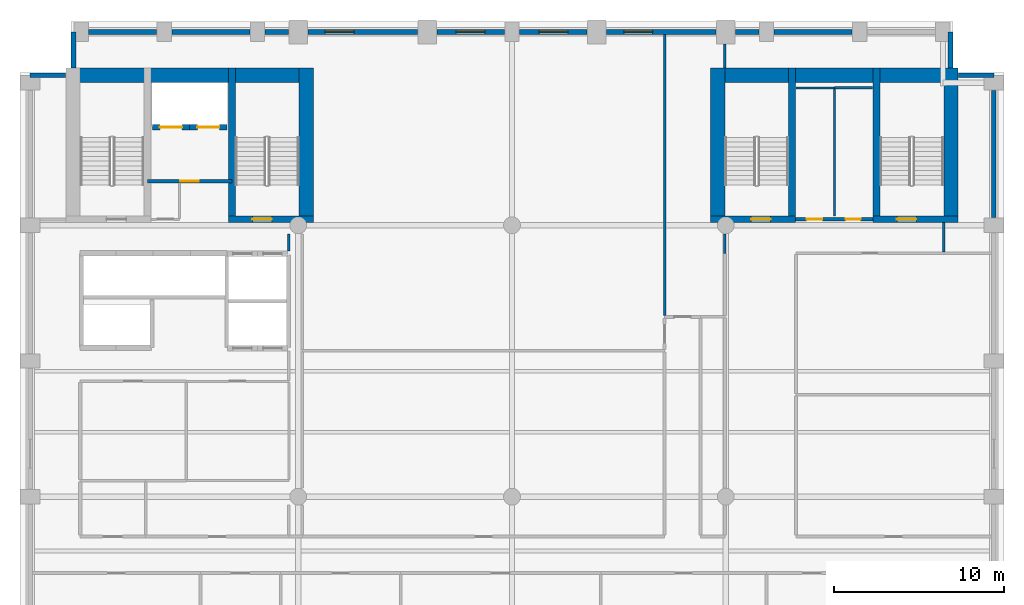
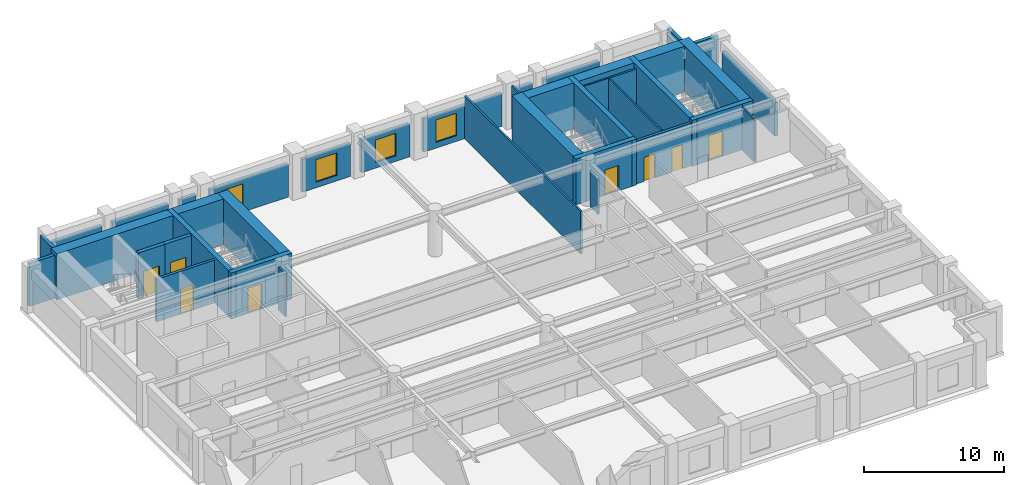
# One storey, part 5 of 8: 37 walls, 8 doors, 4 windows, 12 openings.
"""IFC4 building model written with IfcOpenShell, lengths in metres."""

from ifc_helpers import new_model, si_unit, direction, frame, frame_2d, origin, place, context, subcontext, project, spatial, rectangle, extrude, material, layer, layer_set, type_object, element, fill, save


model = new_model("IFC4")

# Units and contexts
model_context = context("Model", 3, precision=1e-05, world=origin(), true_north=direction((0.0, 1.0)))
body_context = subcontext(model_context, "Body", "Model", "MODEL_VIEW")
ifc_project = project(units=[si_unit("LENGTHUNIT", "METRE"), si_unit("AREAUNIT", "SQUARE_METRE"), si_unit("VOLUMEUNIT", "CUBIC_METRE"), si_unit("PLANEANGLEUNIT", "RADIAN"), si_unit("MASSUNIT", "GRAM", prefix="KILO")], contexts=[model_context])

# Site, building, storey
site_placement = place(None, origin())
site = spatial("IfcSite", under=ifc_project, at=site_placement, CompositionType="ELEMENT")
building_placement = place(site_placement, origin())
building = spatial("IfcBuilding", under=site, at=building_placement, Name="Sulina Concourse Tower", CompositionType="ELEMENT")
storey_placement = place(building_placement, frame((0.0, 0.0, 128.60009765625)))
storey = spatial("IfcBuildingStorey", under=building, at=storey_placement, Name="L31", CompositionType="ELEMENT", Elevation=128.60009765625)

# Wall, opening, door
ifc_material_1 = material(Name="Concrete C50/60", Category="concrete")
ifc_layer_1 = layer(ifc_material_1, 0.300048828125)
ifc_layer_set_1 = layer_set([ifc_layer_1], Name="Concrete C50/60")
wall_type_1 = type_object("IfcWallType", Name="Core Lift Hoistway Wall 300mm", PredefinedType="SOLIDWALL", material=ifc_layer_set_1)
wall_1_placement = place(storey_placement, frame((10.0, 39.780029296875, 0.0), z_axis=(0.0, 0.0, 1.0), x_axis=(-1.0, 0.0, 0.0)))
wall_1 = element("IfcWall", 1, at=wall_1_placement, inside=storey, type_object=wall_type_1, Name="L31 hoistway enclosure wall FFL-1", PredefinedType="SOLIDWALL", context=body_context, shape_type="SweptSolid", body=[
    extrude(rectangle(XDim=2.199951171875, YDim=0.300048828125, at=frame_2d((1.10009765625, 0.0))), origin(), (0.0, 0.0, 1.0), 4.0),
])
opening_1_placement = place(wall_1_placement, frame((0.449951171875, 0.0, 0.0)))
opening_1 = element("IfcOpeningElement", 2, at=opening_1_placement, cuts=wall_1, Name="Opening LD-02", PredefinedType="OPENING", context=body_context, shape_type="SweptSolid", body=[
    extrude(rectangle(XDim=1.300048828125, YDim=2.25, at=frame_2d((0.64990234375, 1.125))), frame((0.0, 0.159912109375, 0.0), z_axis=(0.0, -1.0, 0.0), x_axis=(1.0, 0.0, 0.0)), (0.0, 0.0, 1.0), 0.320068359375),
])
ifc_material_2 = material(Name="Stainless steel lift landing door", Category="steel")
ifc_layer_2 = layer(ifc_material_2, 0.050048828125)
ifc_layer_set_2 = layer_set([ifc_layer_2], Name="Stainless steel lift landing door")
door_type_1 = type_object("IfcDoorType", Name="Firefighting Lift Sliding Landing Door 1300x2250", OperationType="SLIDING_TO_RIGHT", PredefinedType="DOOR", material=ifc_layer_set_2)
door_1_placement = place(opening_1_placement, origin())
door_1 = element("IfcDoor", 3, at=door_1_placement, inside=storey, type_object=door_type_1, Name="L31 lift landing sliding door FFL-1", OperationType="SLIDING_TO_LEFT", OverallHeight=2.25, OverallWidth=1.300048828125, PredefinedType="DOOR", context=body_context, shape_type="SweptSolid", body=[
    extrude(rectangle(XDim=1.300048828125, YDim=2.25, at=frame_2d((0.64990234375, 1.125))), frame((0.0, 0.02490234375, 0.0), z_axis=(0.0, -1.0, 0.0), x_axis=(1.0, 0.0, 0.0)), (0.0, 0.0, 1.0), 0.050048828125),
])
fill(opening_1, door_1)

wall_2_placement = place(storey_placement, frame((12.199951171875, 39.780029296875, 0.0), z_axis=(0.0, 0.0, 1.0), x_axis=(-1.0, 0.0, 0.0)))
wall_2 = element("IfcWall", 4, at=wall_2_placement, inside=storey, type_object=wall_type_1, Name="L31 hoistway enclosure wall FFL-2", PredefinedType="SOLIDWALL", context=body_context, shape_type="SweptSolid", body=[
    extrude(rectangle(XDim=2.199951171875, YDim=0.300048828125, at=frame_2d((1.10009765625, 0.0))), origin(), (0.0, 0.0, 1.0), 4.0),
])
opening_2_placement = place(wall_2_placement, frame((0.449951171875, 0.0, 0.0)))
opening_2 = element("IfcOpeningElement", 5, at=opening_2_placement, cuts=wall_2, Name="Opening LD-02", PredefinedType="OPENING", context=body_context, shape_type="SweptSolid", body=[
    extrude(rectangle(XDim=1.300048828125, YDim=2.25, at=frame_2d((0.64990234375, 1.125))), frame((0.0, 0.159912109375, 0.0), z_axis=(0.0, -1.0, 0.0), x_axis=(1.0, 0.0, 0.0)), (0.0, 0.0, 1.0), 0.320068359375),
])
door_2_placement = place(opening_2_placement, origin())
door_2 = element("IfcDoor", 6, at=door_2_placement, inside=storey, type_object=door_type_1, Name="L31 lift landing sliding door FFL-2", OperationType="SLIDING_TO_RIGHT", OverallHeight=2.25, OverallWidth=1.300048828125, PredefinedType="DOOR", context=body_context, shape_type="SweptSolid", body=[
    extrude(rectangle(XDim=1.300048828125, YDim=2.25, at=frame_2d((0.64990234375, 1.125))), frame((0.0, 0.02490234375, 0.0), z_axis=(0.0, -1.0, 0.0), x_axis=(1.0, 0.0, 0.0)), (0.0, 0.0, 1.0), 0.050048828125),
])
fill(opening_2, door_2)

ifc_material_3 = material(Name="Gypsum board on steel stud", Category="steel")
ifc_layer_3 = layer(ifc_material_3, 0.219970703125)
ifc_layer_set_3 = layer_set([ifc_layer_3], Name="Gypsum board on steel stud")
wall_type_2 = type_object("IfcWallType", Name="Fire-Rated Lobby & Compartment Wall 220mm", PredefinedType="PARTITIONING", material=ifc_layer_set_3)
wall_3_placement = place(storey_placement, frame((7.510009765625, 36.60009765625, 0.0), z_axis=(0.0, 0.0, 1.0), x_axis=(1.0, 0.0, 0.0)))
wall_3 = element("IfcWall", 7, at=wall_3_placement, inside=storey, type_object=wall_type_2, Name="L31 firefighting lobby south fire wall", PredefinedType="PARTITIONING", context=body_context, shape_type="SweptSolid", body=[
    extrude(rectangle(XDim=4.97998046875, YDim=0.219970703125, at=frame_2d((2.489990234375, 0.0))), origin(), (0.0, 0.0, 1.0), 3.724853515625),
])
opening_3_placement = place(wall_3_placement, frame((1.93994140625, 0.0, 0.0)))
opening_3 = element("IfcOpeningElement", 8, at=opening_3_placement, cuts=wall_3, Name="Opening DR-47", PredefinedType="OPENING", context=body_context, shape_type="SweptSolid", body=[
    extrude(rectangle(XDim=1.10009765625, YDim=2.199951171875, at=frame_2d((0.550048828125, 1.10009765625))), frame((0.0, 0.119873046875, 0.0), z_axis=(0.0, -1.0, 0.0), x_axis=(1.0, 0.0, 0.0)), (0.0, 0.0, 1.0), 0.239990234375),
])
ifc_material_4 = material(Name="Galvanised steel acoustic fire leaf", Category="steel")
ifc_layer_4 = layer(ifc_material_4, 0.054931640625)
ifc_layer_set_4 = layer_set([ifc_layer_4], Name="Galvanised steel acoustic fire leaf")
door_type_2 = type_object("IfcDoorType", Name="Firefighting Lobby Fire Door 1100x2200", OperationType="NOTDEFINED", PredefinedType="DOOR", material=ifc_layer_set_4)
door_3_placement = place(opening_3_placement, origin())
door_3 = element("IfcDoor", 9, at=door_3_placement, inside=storey, type_object=door_type_2, Name="L31 firefighting lobby fire door", OperationType="SINGLE_SWING_RIGHT", OverallHeight=2.199951171875, OverallWidth=1.10009765625, PredefinedType="DOOR", context=body_context, shape_type="SweptSolid", body=[
    extrude(rectangle(XDim=1.10009765625, YDim=2.199951171875, at=frame_2d((0.550048828125, 1.10009765625))), frame((0.0, 0.02490234375, 0.0), z_axis=(0.0, -1.0, 0.0), x_axis=(1.0, 0.0, 0.0)), (0.0, 0.0, 1.0), 0.050048828125),
])
fill(opening_3, door_3)

# Wall, openings, doors
wall_4_placement = place(storey_placement, frame((45.719970703125, 34.35009765625, 0.0), z_axis=(0.0, 0.0, 1.0), x_axis=(1.0, 0.0, 0.0)))
wall_4 = element("IfcWall", 10, at=wall_4_placement, inside=storey, type_object=wall_type_2, Name="L31 east core south lobby wall", PredefinedType="PARTITIONING", context=body_context, shape_type="SweptSolid", body=[
    extrude(rectangle(XDim=4.56005859375, YDim=0.219970703125, at=frame_2d((2.280029296875, 0.0))), origin(), (0.0, 0.0, 1.0), 3.724853515625),
])
opening_4_placement = place(wall_4_placement, frame((0.64990234375, 0.0, 0.0)))
opening_4 = element("IfcOpeningElement", 11, at=opening_4_placement, cuts=wall_4, Name="Opening DR-61", PredefinedType="OPENING", context=body_context, shape_type="SweptSolid", body=[
    extrude(rectangle(XDim=0.919921875, YDim=2.10009765625, at=frame_2d((0.4599609375, 1.050048828125))), frame((0.0, 0.119873046875, 0.0), z_axis=(0.0, -1.0, 0.0), x_axis=(1.0, 0.0, 0.0)), (0.0, 0.0, 1.0), 0.239990234375),
])
opening_5_placement = place(wall_4_placement, frame((2.949951171875, 0.0, 0.0)))
opening_5 = element("IfcOpeningElement", 12, at=opening_5_placement, cuts=wall_4, Name="Opening DR-38", PredefinedType="OPENING", context=body_context, shape_type="SweptSolid", body=[
    extrude(rectangle(XDim=0.8798828125, YDim=2.10009765625, at=frame_2d((0.43994140625, 1.050048828125))), frame((0.0, 0.119873046875, 0.0), z_axis=(0.0, -1.0, 0.0), x_axis=(1.0, 0.0, 0.0)), (0.0, 0.0, 1.0), 0.239990234375),
])
ifc_material_5 = material(Name="Oak-veneered fire door leaf")
ifc_layer_5 = layer(ifc_material_5, 0.050048828125)
ifc_layer_set_5 = layer_set([ifc_layer_5], Name="Oak-veneered fire door leaf")
door_type_3 = type_object("IfcDoorType", Name="Accessible WC Door 920x2100", OperationType="NOTDEFINED", PredefinedType="DOOR", material=ifc_layer_set_5)
door_4_placement = place(opening_4_placement, origin())
door_4 = element("IfcDoor", 13, at=door_4_placement, inside=storey, type_object=door_type_3, Name="L31 east core accessible wc door", OperationType="SINGLE_SWING_RIGHT", OverallHeight=2.10009765625, OverallWidth=0.919921875, PredefinedType="DOOR", context=body_context, shape_type="SweptSolid", body=[
    extrude(rectangle(XDim=0.919921875, YDim=2.10009765625, at=frame_2d((0.4599609375, 1.050048828125))), frame((0.0, 0.02490234375, 0.0), z_axis=(0.0, -1.0, 0.0), x_axis=(1.0, 0.0, 0.0)), (0.0, 0.0, 1.0), 0.050048828125),
])
fill(opening_4, door_4)
ifc_material_6 = material(Name="Galvanised steel acoustic fire leaf", Category="steel")
ifc_layer_6 = layer(ifc_material_6, 0.050048828125)
ifc_layer_set_6 = layer_set([ifc_layer_6], Name="Galvanised steel acoustic fire leaf")
door_type_4 = type_object("IfcDoorType", Name="Service Riser Fire Door 880x2100", OperationType="NOTDEFINED", PredefinedType="DOOR", material=ifc_layer_set_6)
door_5_placement = place(opening_5_placement, origin())
door_5 = element("IfcDoor", 14, at=door_5_placement, inside=storey, type_object=door_type_4, Name="L31 east core store door", OperationType="SINGLE_SWING_LEFT", OverallHeight=2.10009765625, OverallWidth=0.8798828125, PredefinedType="DOOR", context=body_context, shape_type="SweptSolid", body=[
    extrude(rectangle(XDim=0.8798828125, YDim=2.10009765625, at=frame_2d((0.43994140625, 1.050048828125))), frame((0.0, 0.02490234375, 0.0), z_axis=(0.0, -1.0, 0.0), x_axis=(1.0, 0.0, 0.0)), (0.0, 0.0, 1.0), 0.050048828125),
])
fill(opening_5, door_5)

# Walls
ifc_material_7 = material(Name="Gypsum board on steel stud", Category="steel")
ifc_layer_7 = layer(ifc_material_7, 0.14990234375)
ifc_layer_set_7 = layer_set([ifc_layer_7], Name="Gypsum board on steel stud")
wall_type_3 = type_object("IfcWallType", Name="Inter-Tenancy Acoustic Partition 150mm", PredefinedType="PARTITIONING", material=ifc_layer_set_7)
wall_5_placement = place(storey_placement, frame((48.0, 42.10009765625, 0.0), z_axis=(0.0, 0.0, 1.0), x_axis=(1.0, 0.0, 0.0)))
element("IfcWall", 15, at=wall_5_placement, inside=storey, type_object=wall_type_3, Name="L31 interior partition 028", PredefinedType="PARTITIONING", context=body_context, shape_type="SweptSolid", body=[
    extrude(rectangle(XDim=2.25, YDim=0.14990234375, at=frame_2d((1.125, 0.0))), origin(), (0.0, 0.0, 1.0), 3.724853515625),
])
wall_6_placement = place(storey_placement, frame((15.85009765625, 32.469970703125, 0.0), z_axis=(0.0, 0.0, 1.0), x_axis=(0.0, 1.0, 0.0)))
element("IfcWall", 16, at=wall_6_placement, inside=storey, type_object=wall_type_3, Name="L31 interior partition 039", PredefinedType="PARTITIONING", context=body_context, shape_type="SweptSolid", body=[
    extrude(rectangle(XDim=1.030029296875, YDim=0.14990234375, at=frame_2d((0.51513671875, 0.0))), origin(), (0.0, 0.0, 1.0), 3.724853515625),
])
wall_7_placement = place(storey_placement, frame((38.0, 28.68994140625, 0.0), z_axis=(0.0, 0.0, 1.0), x_axis=(0.0, 1.0, 0.0)))
element("IfcWall", 17, at=wall_7_placement, inside=storey, type_object=wall_type_3, Name="L31 interior partition 047", PredefinedType="PARTITIONING", context=body_context, shape_type="SweptSolid", body=[
    extrude(rectangle(XDim=16.570068359375, YDim=0.14990234375, at=frame_2d((8.28515625, 0.0))), origin(), (0.0, 0.0, 1.0), 3.724853515625),
])
wall_8_placement = place(storey_placement, frame((41.550048828125, 32.35009765625, 0.0), z_axis=(0.0, 0.0, 1.0), x_axis=(0.0, 1.0, 0.0)))
element("IfcWall", 18, at=wall_8_placement, inside=storey, type_object=wall_type_3, Name="L31 interior partition 052", PredefinedType="PARTITIONING", context=body_context, shape_type="SweptSolid", body=[
    extrude(rectangle(XDim=1.14990234375, YDim=0.14990234375, at=frame_2d((0.574951171875, 0.0))), origin(), (0.0, 0.0, 1.0), 3.06982421875),
])
wall_9_placement = place(storey_placement, frame((41.550048828125, 43.280029296875, 0.0), z_axis=(0.0, 0.0, 1.0), x_axis=(0.0, 1.0, 0.0)))
element("IfcWall", 19, at=wall_9_placement, inside=storey, type_object=wall_type_3, Name="L31 interior partition 053", PredefinedType="PARTITIONING", context=body_context, shape_type="SweptSolid", body=[
    extrude(rectangle(XDim=1.419921875, YDim=0.14990234375, at=frame_2d((0.7099609375, 0.0))), origin(), (0.0, 0.0, 1.0), 3.724853515625),
])
wall_10_placement = place(storey_placement, frame((54.449951171875, 32.425048828125, 0.0), z_axis=(0.0, 0.0, 1.0), x_axis=(0.0, 1.0, 0.0)))
element("IfcWall", 20, at=wall_10_placement, inside=storey, type_object=wall_type_3, Name="L31 interior partition 059", PredefinedType="PARTITIONING", context=body_context, shape_type="SweptSolid", body=[
    extrude(rectangle(XDim=1.724853515625, YDim=0.14990234375, at=frame_2d((0.8623046875, 0.0))), origin(), (0.0, 0.0, 1.0), 3.724853515625),
])

# Wall, opening, door
ifc_material_8 = material(Name="Concrete C60/75", Category="concrete")
ifc_layer_8 = layer(ifc_material_8, 0.39990234375)
ifc_layer_set_8 = layer_set([ifc_layer_8], Name="Concrete C60/75")
wall_type_4 = type_object("IfcWallType", Name="Protected Stair Core Shear Wall 400mm", PredefinedType="SHEAR", material=ifc_layer_set_8)
wall_11_placement = place(storey_placement, frame((12.2900390625, 34.35009765625, 0.0), z_axis=(0.0, 0.0, 1.0), x_axis=(1.0, 0.0, 0.0)))
wall_11 = element("IfcWall", 21, at=wall_11_placement, inside=storey, type_object=wall_type_4, Name="L31 west core shear wall CW-WS2", PredefinedType="SHEAR", context=body_context, shape_type="SweptSolid", body=[
    extrude(rectangle(XDim=5.010009765625, YDim=0.39990234375, at=frame_2d((2.5048828125, 0.0))), origin(), (0.0, 0.0, 1.0), 4.0),
])
opening_6_placement = place(wall_11_placement, frame((1.39990234375, 0.0, 0.0)))
opening_6 = element("IfcOpeningElement", 22, at=opening_6_placement, cuts=wall_11, Name="Opening DR-60", PredefinedType="OPENING", context=body_context, shape_type="SweptSolid", body=[
    extrude(rectangle(XDim=1.14990234375, YDim=2.199951171875, at=frame_2d((0.574951171875, 1.10009765625))), frame((0.0, 0.2099609375, 0.0), z_axis=(0.0, -1.0, 0.0), x_axis=(1.0, 0.0, 0.0)), (0.0, 0.0, 1.0), 0.419921875),
])
ifc_material_9 = material(Name="Galvanised steel acoustic fire leaf", Category="steel")
ifc_layer_9 = layer(ifc_material_9, 0.054931640625)
ifc_layer_set_9 = layer_set([ifc_layer_9], Name="Galvanised steel acoustic fire leaf")
door_type_5 = type_object("IfcDoorType", Name="Protected Exit Stair Fire Door 1150x2200", OperationType="NOTDEFINED", PredefinedType="DOOR", material=ifc_layer_set_9)
door_6_placement = place(opening_6_placement, origin())
door_6 = element("IfcDoor", 23, at=door_6_placement, inside=storey, type_object=door_type_5, Name="L31 stair ST-2 lobby fire door", OperationType="SINGLE_SWING_LEFT", OverallHeight=2.199951171875, OverallWidth=1.14990234375, PredefinedType="DOOR", context=body_context, shape_type="SweptSolid", body=[
    extrude(rectangle(XDim=1.14990234375, YDim=2.199951171875, at=frame_2d((0.574951171875, 1.10009765625))), frame((0.0, 0.02490234375, 0.0), z_axis=(0.0, -1.0, 0.0), x_axis=(1.0, 0.0, 0.0)), (0.0, 0.0, 1.0), 0.050048828125),
])
fill(opening_6, door_6)

# Wall
wall_12_placement = place(storey_placement, frame((12.489990234375, 34.14990234375, 0.0), z_axis=(0.0, 0.0, 1.0), x_axis=(0.0, 1.0, 0.0)))
element("IfcWall", 24, at=wall_12_placement, inside=storey, type_object=wall_type_4, Name="L31 west core shear wall SW-ST2", PredefinedType="SHEAR", context=body_context, shape_type="SweptSolid", body=[
    extrude(rectangle(XDim=9.130126953125, YDim=0.39990234375, at=frame_2d((4.56494140625, 0.0))), origin(), (0.0, 0.0, 1.0), 4.0),
])

# Wall, opening, door
wall_13_placement = place(storey_placement, frame((40.699951171875, 34.35009765625, 0.0), z_axis=(0.0, 0.0, 1.0), x_axis=(1.0, 0.0, 0.0)))
wall_13 = element("IfcWall", 25, at=wall_13_placement, inside=storey, type_object=wall_type_4, Name="L31 east core shear wall CW-ES1", PredefinedType="SHEAR", context=body_context, shape_type="SweptSolid", body=[
    extrude(rectangle(XDim=5.010009765625, YDim=0.39990234375, at=frame_2d((2.5048828125, 0.0))), origin(), (0.0, 0.0, 1.0), 4.0),
])
opening_7_placement = place(wall_13_placement, frame((2.39990234375, 0.0, 0.0)))
opening_7 = element("IfcOpeningElement", 26, at=opening_7_placement, cuts=wall_13, Name="Opening DR-60", PredefinedType="OPENING", context=body_context, shape_type="SweptSolid", body=[
    extrude(rectangle(XDim=1.14990234375, YDim=2.199951171875, at=frame_2d((0.574951171875, 1.10009765625))), frame((0.0, 0.2099609375, 0.0), z_axis=(0.0, -1.0, 0.0), x_axis=(1.0, 0.0, 0.0)), (0.0, 0.0, 1.0), 0.419921875),
])
door_7_placement = place(opening_7_placement, origin())
door_7 = element("IfcDoor", 27, at=door_7_placement, inside=storey, type_object=door_type_5, Name="L31 stair ST-3 south lobby fire door", OperationType="SINGLE_SWING_LEFT", OverallHeight=2.199951171875, OverallWidth=1.14990234375, PredefinedType="DOOR", context=body_context, shape_type="SweptSolid", body=[
    extrude(rectangle(XDim=1.14990234375, YDim=2.199951171875, at=frame_2d((0.574951171875, 1.10009765625))), frame((0.0, 0.02490234375, 0.0), z_axis=(0.0, -1.0, 0.0), x_axis=(1.0, 0.0, 0.0)), (0.0, 0.0, 1.0), 0.050048828125),
])
fill(opening_7, door_7)

# Wall
wall_14_placement = place(storey_placement, frame((45.510009765625, 34.14990234375, 0.0), z_axis=(0.0, 0.0, 1.0), x_axis=(0.0, 1.0, 0.0)))
element("IfcWall", 28, at=wall_14_placement, inside=storey, type_object=wall_type_4, Name="L31 east core shear wall SW-ST3", PredefinedType="SHEAR", context=body_context, shape_type="SweptSolid", body=[
    extrude(rectangle(XDim=9.130126953125, YDim=0.39990234375, at=frame_2d((4.56494140625, 0.0))), origin(), (0.0, 0.0, 1.0), 4.0),
])

# Wall, opening, door
wall_15_placement = place(storey_placement, frame((50.2900390625, 34.35009765625, 0.0), z_axis=(0.0, 0.0, 1.0), x_axis=(1.0, 0.0, 0.0)))
wall_15 = element("IfcWall", 29, at=wall_15_placement, inside=storey, type_object=wall_type_4, Name="L31 east core shear wall CW-ES2", PredefinedType="SHEAR", context=body_context, shape_type="SweptSolid", body=[
    extrude(rectangle(XDim=5.010009765625, YDim=0.39990234375, at=frame_2d((2.5048828125, 0.0))), origin(), (0.0, 0.0, 1.0), 4.0),
])
opening_8_placement = place(wall_15_placement, frame((1.39990234375, 0.0, 0.0)))
opening_8 = element("IfcOpeningElement", 30, at=opening_8_placement, cuts=wall_15, Name="Opening DR-60", PredefinedType="OPENING", context=body_context, shape_type="SweptSolid", body=[
    extrude(rectangle(XDim=1.14990234375, YDim=2.199951171875, at=frame_2d((0.574951171875, 1.10009765625))), frame((0.0, 0.2099609375, 0.0), z_axis=(0.0, -1.0, 0.0), x_axis=(1.0, 0.0, 0.0)), (0.0, 0.0, 1.0), 0.419921875),
])
door_8_placement = place(opening_8_placement, origin())
door_8 = element("IfcDoor", 31, at=door_8_placement, inside=storey, type_object=door_type_5, Name="L31 stair ST-4 south lobby fire door", OperationType="SINGLE_SWING_RIGHT", OverallHeight=2.199951171875, OverallWidth=1.14990234375, PredefinedType="DOOR", context=body_context, shape_type="SweptSolid", body=[
    extrude(rectangle(XDim=1.14990234375, YDim=2.199951171875, at=frame_2d((0.574951171875, 1.10009765625))), frame((0.0, 0.02490234375, 0.0), z_axis=(0.0, -1.0, 0.0), x_axis=(1.0, 0.0, 0.0)), (0.0, 0.0, 1.0), 0.050048828125),
])
fill(opening_8, door_8)

# Walls
wall_16_placement = place(storey_placement, frame((50.489990234375, 34.14990234375, 0.0), z_axis=(0.0, 0.0, 1.0), x_axis=(0.0, 1.0, 0.0)))
element("IfcWall", 32, at=wall_16_placement, inside=storey, type_object=wall_type_4, Name="L31 east core shear wall SW-ST4", PredefinedType="SHEAR", context=body_context, shape_type="SweptSolid", body=[
    extrude(rectangle(XDim=9.130126953125, YDim=0.39990234375, at=frame_2d((4.56494140625, 0.0))), origin(), (0.0, 0.0, 1.0), 4.0),
])
ifc_material_10 = material(Name="Concrete C60/75", Category="concrete")
ifc_layer_10 = layer(ifc_material_10, 0.85009765625)
ifc_layer_set_10 = layer_set([ifc_layer_10], Name="Concrete C60/75")
wall_type_5 = type_object("IfcWallType", Name="Rear Core Shear Wall 850mm", PredefinedType="SHEAR", material=ifc_layer_set_10)
wall_17_placement = place(storey_placement, frame((2.699951171875, 42.85498046875, 0.0), z_axis=(0.0, 0.0, 1.0), x_axis=(1.0, 0.0, 0.0)))
element("IfcWall", 33, at=wall_17_placement, inside=storey, type_object=wall_type_5, Name="L31 west core shear wall CW-WN", PredefinedType="SHEAR", context=body_context, shape_type="SweptSolid", body=[
    extrude(rectangle(XDim=14.60009765625, YDim=0.85009765625, at=frame_2d((7.300048828125, 0.0))), origin(), (0.0, 0.0, 1.0), 4.0),
])
wall_18_placement = place(storey_placement, frame((16.875, 34.14990234375, 0.0), z_axis=(0.0, 0.0, 1.0), x_axis=(0.0, 1.0, 0.0)))
element("IfcWall", 34, at=wall_18_placement, inside=storey, type_object=wall_type_5, Name="L31 west core shear wall CW-WE", PredefinedType="SHEAR", context=body_context, shape_type="SweptSolid", body=[
    extrude(rectangle(XDim=9.130126953125, YDim=0.85009765625, at=frame_2d((4.56494140625, 0.0))), origin(), (0.0, 0.0, 1.0), 4.0),
])
wall_19_placement = place(storey_placement, frame((40.699951171875, 42.85498046875, 0.0), z_axis=(0.0, 0.0, 1.0), x_axis=(1.0, 0.0, 0.0)))
element("IfcWall", 35, at=wall_19_placement, inside=storey, type_object=wall_type_5, Name="L31 east core shear wall CW-EN", PredefinedType="SHEAR", context=body_context, shape_type="SweptSolid", body=[
    extrude(rectangle(XDim=14.60009765625, YDim=0.85009765625, at=frame_2d((7.300048828125, 0.0))), origin(), (0.0, 0.0, 1.0), 4.0),
])
for number, where, z_axis, x_axis, name in (
    (36, (41.125, 34.14990234375, 0.0), (0.0, 0.0, 1.0), (0.0, 1.0, 0.0), "L31 east core shear wall CW-EW"),
    (37, (54.875, 34.14990234375, 0.0), (0.0, 0.0, 1.0), (0.0, 1.0, 0.0), "L31 east core shear wall CW-EE"),
):
    element("IfcWall", number, at=place(storey_placement, frame(where, z_axis=z_axis, x_axis=x_axis)), inside=storey, type_object=wall_type_5, Name=name, PredefinedType="SHEAR", context=body_context, shape_type="SweptSolid", body=[
        extrude(rectangle(XDim=9.130126953125, YDim=0.85009765625, at=frame_2d((4.56494140625, 0.0))), origin(), (0.0, 0.0, 1.0), 4.0),
    ])
ifc_material_11 = material(Name="Precast concrete C50/60", Category="concrete")
ifc_layer_11 = layer(ifc_material_11, 0.280029296875)
ifc_layer_set_11 = layer_set([ifc_layer_11], Name="Precast concrete C50/60")
wall_type_6 = type_object("IfcWallType", Name="Typical Precast Masonry-Frame Facade Wall 280mm", PredefinedType="SOLIDWALL", material=ifc_layer_set_11)
wall_20_placement = place(storey_placement, frame((4.044921875, 45.39990234375, 0.0), z_axis=(0.0, 0.0, 1.0), x_axis=(1.0, 0.0, 0.0)))
element("IfcWall", 38, at=wall_20_placement, inside=storey, type_object=wall_type_6, Name="L31 exterior precast wall N1", PredefinedType="SOLIDWALL", context=body_context, shape_type="SweptSolid", body=[
    extrude(rectangle(XDim=4.010009765625, YDim=0.280029296875, at=frame_2d((2.0048828125, 0.0))), origin(), (0.0, 0.0, 1.0), 2.875),
])
wall_21_placement = place(storey_placement, frame((8.945068359375, 45.39990234375, 0.0), z_axis=(0.0, 0.0, 1.0), x_axis=(1.0, 0.0, 0.0)))
element("IfcWall", 39, at=wall_21_placement, inside=storey, type_object=wall_type_6, Name="L31 exterior precast wall N2", PredefinedType="SOLIDWALL", context=body_context, shape_type="SweptSolid", body=[
    extrude(rectangle(XDim=4.60986328125, YDim=0.280029296875, at=frame_2d((2.304931640625, 0.0))), origin(), (0.0, 0.0, 1.0), 2.875),
])
wall_22_placement = place(storey_placement, frame((14.445068359375, 45.39990234375, 0.0), z_axis=(0.0, 0.0, 1.0), x_axis=(1.0, 0.0, 0.0)))
element("IfcWall", 40, at=wall_22_placement, inside=storey, type_object=wall_type_6, Name="L31 exterior precast wall N3", PredefinedType="SOLIDWALL", context=body_context, shape_type="SweptSolid", body=[
    extrude(rectangle(XDim=1.385009765625, YDim=0.280029296875, at=frame_2d((0.6923828125, 0.0))), origin(), (0.0, 0.0, 1.0), 2.875),
])

# Wall, opening, window
wall_23_placement = place(storey_placement, frame((16.969970703125, 45.39990234375, 0.0), z_axis=(0.0, 0.0, 1.0), x_axis=(1.0, 0.0, 0.0)))
wall_23 = element("IfcWall", 41, at=wall_23_placement, inside=storey, type_object=wall_type_6, Name="L31 exterior precast wall N4", PredefinedType="SOLIDWALL", context=body_context, shape_type="SweptSolid", body=[
    extrude(rectangle(XDim=6.4599609375, YDim=0.280029296875, at=frame_2d((3.22998046875, 0.0))), origin(), (0.0, 0.0, 1.0), 2.875),
])
opening_9_placement = place(wall_23_placement, frame((1.02001953125, 0.0, 0.5)))
opening_9 = element("IfcOpeningElement", 42, at=opening_9_placement, cuts=wall_23, Name="Opening WN-66", PredefinedType="OPENING", context=body_context, shape_type="SweptSolid", body=[
    extrude(rectangle(XDim=1.699951171875, YDim=1.949951171875, at=frame_2d((0.85009765625, 0.97509765625))), frame((0.0, 0.14990234375, 0.0), z_axis=(0.0, -1.0, 0.0), x_axis=(1.0, 0.0, 0.0)), (0.0, 0.0, 1.0), 0.300048828125),
])
ifc_material_12 = material(Name="Low-E solar double glazing in bronze aluminium", Category="aluminium")
window_type = type_object("IfcWindowType", Name="Recessed Spandrel Window 1700x1950", PartitioningType="SINGLE_PANEL", PredefinedType="WINDOW", material=ifc_material_12)
window_1_placement = place(opening_9_placement, origin())
window_1 = element("IfcWindow", 43, at=window_1_placement, inside=storey, type_object=window_type, Name="L31 punched window N4-1", OverallHeight=1.949951171875, OverallWidth=1.699951171875, PartitioningType="SINGLE_PANEL", PredefinedType="WINDOW", context=body_context, shape_type="SweptSolid", body=[
    extrude(rectangle(XDim=1.699951171875, YDim=1.949951171875, at=frame_2d((0.85009765625, 0.97509765625))), frame((0.0, 0.030029296875, 0.0), z_axis=(0.0, -1.0, 0.0), x_axis=(1.0, 0.0, 0.0)), (0.0, 0.0, 1.0), 0.06005859375),
])
fill(opening_9, window_1)

wall_24_placement = place(storey_placement, frame((24.570068359375, 45.39990234375, 0.0), z_axis=(0.0, 0.0, 1.0), x_axis=(1.0, 0.0, 0.0)))
wall_24 = element("IfcWall", 44, at=wall_24_placement, inside=storey, type_object=wall_type_6, Name="L31 exterior precast wall N5", PredefinedType="SOLIDWALL", context=body_context, shape_type="SweptSolid", body=[
    extrude(rectangle(XDim=3.98486328125, YDim=0.280029296875, at=frame_2d((1.992431640625, 0.0))), origin(), (0.0, 0.0, 1.0), 2.875),
])
opening_10_placement = place(wall_24_placement, frame((1.142578125, 0.0, 0.5)))
opening_10 = element("IfcOpeningElement", 45, at=opening_10_placement, cuts=wall_24, Name="Opening WN-66", PredefinedType="OPENING", context=body_context, shape_type="SweptSolid", body=[
    extrude(rectangle(XDim=1.699951171875, YDim=1.949951171875, at=frame_2d((0.85009765625, 0.97509765625))), frame((0.0, 0.14990234375, 0.0), z_axis=(0.0, -1.0, 0.0), x_axis=(1.0, 0.0, 0.0)), (0.0, 0.0, 1.0), 0.300048828125),
])
window_2_placement = place(opening_10_placement, origin())
window_2 = element("IfcWindow", 46, at=window_2_placement, inside=storey, type_object=window_type, Name="L31 punched window N5-1", OverallHeight=1.949951171875, OverallWidth=1.699951171875, PartitioningType="SINGLE_PANEL", PredefinedType="WINDOW", context=body_context, shape_type="SweptSolid", body=[
    extrude(rectangle(XDim=1.699951171875, YDim=1.949951171875, at=frame_2d((0.85009765625, 0.97509765625))), frame((0.0, 0.030029296875, 0.0), z_axis=(0.0, -1.0, 0.0), x_axis=(1.0, 0.0, 0.0)), (0.0, 0.0, 1.0), 0.06005859375),
])
fill(opening_10, window_2)

wall_25_placement = place(storey_placement, frame((29.445068359375, 45.39990234375, 0.0), z_axis=(0.0, 0.0, 1.0), x_axis=(1.0, 0.0, 0.0)))
wall_25 = element("IfcWall", 47, at=wall_25_placement, inside=storey, type_object=wall_type_6, Name="L31 exterior precast wall N6", PredefinedType="SOLIDWALL", context=body_context, shape_type="SweptSolid", body=[
    extrude(rectangle(XDim=3.98486328125, YDim=0.280029296875, at=frame_2d((1.992431640625, 0.0))), origin(), (0.0, 0.0, 1.0), 2.875),
])
opening_11_placement = place(wall_25_placement, frame((1.142578125, 0.0, 0.5)))
opening_11 = element("IfcOpeningElement", 48, at=opening_11_placement, cuts=wall_25, Name="Opening WN-66", PredefinedType="OPENING", context=body_context, shape_type="SweptSolid", body=[
    extrude(rectangle(XDim=1.699951171875, YDim=1.949951171875, at=frame_2d((0.85009765625, 0.97509765625))), frame((0.0, 0.14990234375, 0.0), z_axis=(0.0, -1.0, 0.0), x_axis=(1.0, 0.0, 0.0)), (0.0, 0.0, 1.0), 0.300048828125),
])
window_3_placement = place(opening_11_placement, origin())
window_3 = element("IfcWindow", 49, at=window_3_placement, inside=storey, type_object=window_type, Name="L31 punched window N6-1", OverallHeight=1.949951171875, OverallWidth=1.699951171875, PartitioningType="SINGLE_PANEL", PredefinedType="WINDOW", context=body_context, shape_type="SweptSolid", body=[
    extrude(rectangle(XDim=1.699951171875, YDim=1.949951171875, at=frame_2d((0.85009765625, 0.97509765625))), frame((0.0, 0.030029296875, 0.0), z_axis=(0.0, -1.0, 0.0), x_axis=(1.0, 0.0, 0.0)), (0.0, 0.0, 1.0), 0.06005859375),
])
fill(opening_11, window_3)

wall_26_placement = place(storey_placement, frame((34.570068359375, 45.39990234375, 0.0), z_axis=(0.0, 0.0, 1.0), x_axis=(1.0, 0.0, 0.0)))
wall_26 = element("IfcWall", 50, at=wall_26_placement, inside=storey, type_object=wall_type_6, Name="L31 exterior precast wall N7", PredefinedType="SOLIDWALL", context=body_context, shape_type="SweptSolid", body=[
    extrude(rectangle(XDim=6.4599609375, YDim=0.280029296875, at=frame_2d((3.22998046875, 0.0))), origin(), (0.0, 0.0, 1.0), 2.875),
])
opening_12_placement = place(wall_26_placement, frame((1.02001953125, 0.0, 0.5)))
opening_12 = element("IfcOpeningElement", 51, at=opening_12_placement, cuts=wall_26, Name="Opening WN-66", PredefinedType="OPENING", context=body_context, shape_type="SweptSolid", body=[
    extrude(rectangle(XDim=1.699951171875, YDim=1.949951171875, at=frame_2d((0.85009765625, 0.97509765625))), frame((0.0, 0.14990234375, 0.0), z_axis=(0.0, -1.0, 0.0), x_axis=(1.0, 0.0, 0.0)), (0.0, 0.0, 1.0), 0.300048828125),
])
window_4_placement = place(opening_12_placement, origin())
window_4 = element("IfcWindow", 52, at=window_4_placement, inside=storey, type_object=window_type, Name="L31 punched window N7-1", OverallHeight=1.949951171875, OverallWidth=1.699951171875, PartitioningType="SINGLE_PANEL", PredefinedType="WINDOW", context=body_context, shape_type="SweptSolid", body=[
    extrude(rectangle(XDim=1.699951171875, YDim=1.949951171875, at=frame_2d((0.85009765625, 0.97509765625))), frame((0.0, 0.030029296875, 0.0), z_axis=(0.0, -1.0, 0.0), x_axis=(1.0, 0.0, 0.0)), (0.0, 0.0, 1.0), 0.06005859375),
])
fill(opening_12, window_4)

# Walls
wall_27_placement = place(storey_placement, frame((42.169921875, 45.39990234375, 0.0), z_axis=(0.0, 0.0, 1.0), x_axis=(1.0, 0.0, 0.0)))
element("IfcWall", 53, at=wall_27_placement, inside=storey, type_object=wall_type_6, Name="L31 exterior precast wall N8", PredefinedType="SOLIDWALL", context=body_context, shape_type="SweptSolid", body=[
    extrude(rectangle(XDim=1.385009765625, YDim=0.280029296875, at=frame_2d((0.6923828125, 0.0))), origin(), (0.0, 0.0, 1.0), 2.875),
])
wall_28_placement = place(storey_placement, frame((44.445068359375, 45.39990234375, 0.0), z_axis=(0.0, 0.0, 1.0), x_axis=(1.0, 0.0, 0.0)))
element("IfcWall", 54, at=wall_28_placement, inside=storey, type_object=wall_type_6, Name="L31 exterior precast wall N9", PredefinedType="SOLIDWALL", context=body_context, shape_type="SweptSolid", body=[
    extrude(rectangle(XDim=4.60986328125, YDim=0.280029296875, at=frame_2d((2.304931640625, 0.0))), origin(), (0.0, 0.0, 1.0), 2.875),
])
wall_29_placement = place(storey_placement, frame((57.39990234375, 41.955078125, 0.0), z_axis=(0.0, 0.0, 1.0), x_axis=(0.0, -1.0, 0.0)))
element("IfcWall", 55, at=wall_29_placement, inside=storey, type_object=wall_type_6, Name="L31 exterior precast wall E5", PredefinedType="SOLIDWALL", context=body_context, shape_type="SweptSolid", body=[
    extrude(rectangle(XDim=7.510009765625, YDim=0.280029296875, at=frame_2d((3.7548828125, 0.0))), origin(), (0.0, 0.0, 1.0), 2.875),
])
wall_30_placement = place(storey_placement, frame((0.60009765625, 42.844970703125, 0.0), z_axis=(0.0, 0.0, 1.0), x_axis=(1.0, 0.0, 0.0)))
element("IfcWall", 56, at=wall_30_placement, inside=storey, type_object=wall_type_6, Name="L31 exterior precast wall CNW1", PredefinedType="SOLIDWALL", context=body_context, shape_type="SweptSolid", body=[
    extrude(rectangle(XDim=2.094970703125, YDim=0.280029296875, at=frame_2d((1.04736328125, 0.0))), origin(), (0.0, 0.0, 1.0), 3.724853515625),
])
for number, where, z_axis, x_axis, name in (
    (57, (3.155029296875, 43.284912109375, 0.0), (0.0, 0.0, 1.0), (0.0, 1.0, 0.0), "L31 exterior precast wall CNW2"),
    (58, (54.844970703125, 45.39990234375, 0.0), (0.0, 0.0, 1.0), (0.0, -1.0, 0.0), "L31 exterior precast wall CNE1"),
):
    element("IfcWall", number, at=place(storey_placement, frame(where, z_axis=z_axis, x_axis=x_axis)), inside=storey, type_object=wall_type_6, Name=name, PredefinedType="SOLIDWALL", context=body_context, shape_type="SweptSolid", body=[
        extrude(rectangle(XDim=2.114990234375, YDim=0.280029296875, at=frame_2d((1.0576171875, 0.0))), origin(), (0.0, 0.0, 1.0), 3.724853515625),
    ])
wall_31_placement = place(storey_placement, frame((55.304931640625, 42.844970703125, 0.0), z_axis=(0.0, 0.0, 1.0), x_axis=(1.0, 0.0, 0.0)))
element("IfcWall", 59, at=wall_31_placement, inside=storey, type_object=wall_type_6, Name="L31 exterior precast wall CNE2", PredefinedType="SOLIDWALL", context=body_context, shape_type="SweptSolid", body=[
    extrude(rectangle(XDim=2.094970703125, YDim=0.280029296875, at=frame_2d((1.04736328125, 0.0))), origin(), (0.0, 0.0, 1.0), 3.724853515625),
])
ifc_material_13 = material(Name="Gypsum board on steel stud", Category="steel")
ifc_layer_12 = layer(ifc_material_13, 0.125)
ifc_layer_set_12 = layer_set([ifc_layer_12], Name="Gypsum board on steel stud")
wall_type_7 = type_object("IfcWallType", Name="Wet-Area Moisture-Resistant Partition 125mm", PredefinedType="PARTITIONING", material=ifc_layer_set_12)
wall_32_placement = place(storey_placement, frame((45.75, 42.10009765625, 0.0), z_axis=(0.0, 0.0, 1.0), x_axis=(1.0, 0.0, 0.0)))
element("IfcWall", 60, at=wall_32_placement, inside=storey, type_object=wall_type_7, Name="L31 interior partition 027", PredefinedType="PARTITIONING", context=body_context, shape_type="SweptSolid", body=[
    extrude(rectangle(XDim=2.25, YDim=0.125, at=frame_2d((1.125, 0.0))), origin(), (0.0, 0.0, 1.0), 3.724853515625),
])
wall_33_placement = place(storey_placement, frame((48.0, 34.550048828125, 0.0), z_axis=(0.0, 0.0, 1.0), x_axis=(0.0, 1.0, 0.0)))
element("IfcWall", 61, at=wall_33_placement, inside=storey, type_object=wall_type_7, Name="L31 interior partition 057", PredefinedType="PARTITIONING", context=body_context, shape_type="SweptSolid", body=[
    extrude(rectangle(XDim=7.474853515625, YDim=0.125, at=frame_2d((3.7373046875, 0.0))), origin(), (0.0, 0.0, 1.0), 3.724853515625),
])

save(model, "model.ifc")
